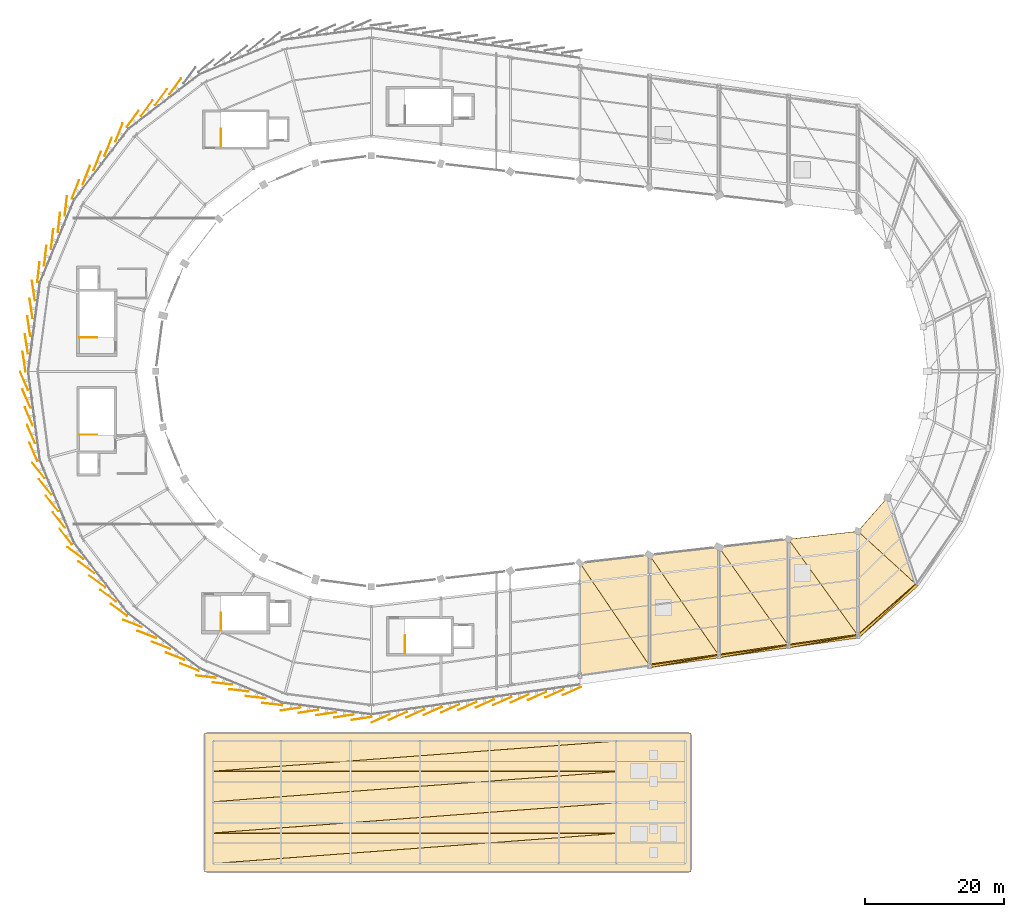
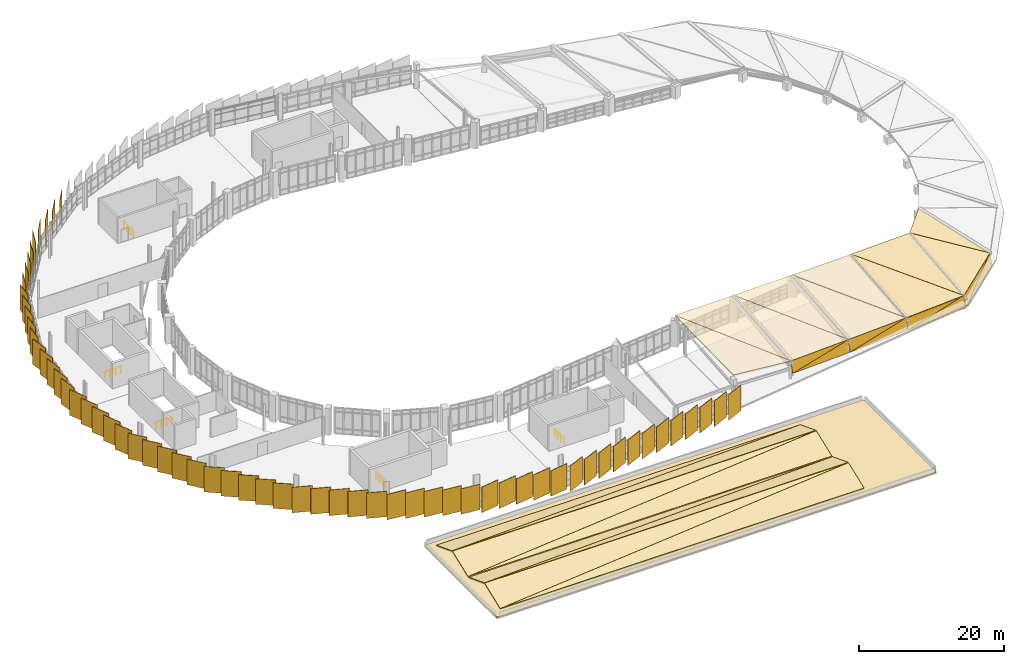
# One storey, part 65 of 67: 88 coverings, 5 railings.
"""IFC4 building model written with IfcOpenShell, lengths in metres."""

from ifc_helpers import new_model, si_unit, direction, frame, origin, origin_2d, place, context, subcontext, project, spatial, polyline, rectangle, circle, outline, extrude, material, layer, layer_set, type_object, element, save


model = new_model("IFC4")

# Units and contexts
model_context = context("Model", 3, precision=1e-05, world=origin(), true_north=direction((0.0, 1.0)))
body_context = subcontext(model_context, "Body", "Model", "MODEL_VIEW")
ifc_project = project(units=[si_unit("LENGTHUNIT", "METRE"), si_unit("AREAUNIT", "SQUARE_METRE"), si_unit("VOLUMEUNIT", "CUBIC_METRE"), si_unit("PLANEANGLEUNIT", "RADIAN"), si_unit("MASSUNIT", "GRAM", prefix="KILO")], contexts=[model_context])

# Site, building, storey
site_placement = place(None, origin())
site = spatial("IfcSite", under=ifc_project, at=site_placement, CompositionType="ELEMENT")
building_placement = place(site_placement, origin())
building = spatial("IfcBuilding", under=site, at=building_placement, Name="Sohan Crest Arena", CompositionType="ELEMENT")
storey_placement = place(building_placement, frame((0.0, 0.0, 22.5)))
storey = spatial("IfcBuildingStorey", under=building, at=storey_placement, Name="L05", CompositionType="ELEMENT", Elevation=22.5)

# Railings
ifc_material_1 = material(Name="Powder-coated wrought steel balustrade", Category="steel")
railing_type = type_object("IfcRailingType", Name="ARC-GRD-01", PredefinedType="GUARDRAIL", material=ifc_material_1)
for number, where, name in (
    (1, (56.02001953125, 68.8701171875, 0.0), "Top stair landing well guard GRD-007"),
    (2, (56.02001953125, 82.8701171875, 0.0), "Top stair landing well guard GRD-014"),
):
    element("IfcRailing", number, at=place(storey_placement, frame(where)), inside=storey, type_object=railing_type, Name=name, PredefinedType="GUARDRAIL", context=body_context, shape_type="SweptSolid", body=[
        extrude(circle(Radius=0.02392578125, at=origin_2d()), frame((0.0, 0.0, 1.076171875), z_axis=(1.0, 0.0, 0.0), x_axis=(0.0, 1.0, 0.0)), (0.0, 0.0, 1.0), 2.56005859375),
        extrude(circle(Radius=0.02099609375, at=origin_2d()), origin(), (0.0, 0.0, 1.0), 1.052001953125),
        extrude(circle(Radius=0.02099609375, at=origin_2d()), frame((0.853271484375, 0.0, 0.0)), (0.0, 0.0, 1.0), 1.052001953125),
        extrude(circle(Radius=0.02099609375, at=origin_2d()), frame((1.706787109375, 0.0, 0.0)), (0.0, 0.0, 1.0), 1.052001953125),
        extrude(circle(Radius=0.02099609375, at=origin_2d()), frame((2.56005859375, 0.0, 0.0)), (0.0, 0.0, 1.0), 1.052001953125),
    ])
railing_1_placement = place(storey_placement, frame((76.3701171875, 40.719970703125, 0.0)))
element("IfcRailing", 3, at=railing_1_placement, inside=storey, type_object=railing_type, Name="Top stair landing well guard GRD-021", PredefinedType="GUARDRAIL", context=body_context, shape_type="SweptSolid", body=[
    extrude(circle(Radius=0.02392578125, at=origin_2d()), frame((0.0, 0.0, 1.076171875), z_axis=(0.0, 1.0, 0.0), x_axis=(-1.0, 0.0, 0.0)), (0.0, 0.0, 1.0), 2.56005859375),
    extrude(circle(Radius=0.02099609375, at=origin_2d()), origin(), (0.0, 0.0, 1.0), 1.052001953125),
    extrude(circle(Radius=0.02099609375, at=origin_2d()), frame((0.0, 0.853271484375, 0.0)), (0.0, 0.0, 1.0), 1.052001953125),
    extrude(circle(Radius=0.02099609375, at=origin_2d()), frame((0.0, 1.706787109375, 0.0)), (0.0, 0.0, 1.0), 1.052001953125),
    extrude(circle(Radius=0.02099609375, at=origin_2d()), frame((0.0, 2.56005859375, 0.0)), (0.0, 0.0, 1.0), 1.052001953125),
])
railing_2_placement = place(storey_placement, frame((76.3701171875, 110.320068359375, 0.0)))
element("IfcRailing", 4, at=railing_2_placement, inside=storey, type_object=railing_type, Name="Top stair landing well guard GRD-028", PredefinedType="GUARDRAIL", context=body_context, shape_type="SweptSolid", body=[
    extrude(circle(Radius=0.02392578125, at=origin_2d()), frame((0.0, 0.0, 1.076171875), z_axis=(0.0, 1.0, 0.0), x_axis=(-1.0, 0.0, 0.0)), (0.0, 0.0, 1.0), 2.559814453125),
    extrude(circle(Radius=0.02099609375, at=origin_2d()), origin(), (0.0, 0.0, 1.0), 1.052001953125),
    extrude(circle(Radius=0.02099609375, at=origin_2d()), frame((0.0, 0.853271484375, 0.0)), (0.0, 0.0, 1.0), 1.052001953125),
    extrude(circle(Radius=0.02099609375, at=origin_2d()), frame((0.0, 1.70654296875, 0.0)), (0.0, 0.0, 1.0), 1.052001953125),
    extrude(circle(Radius=0.02099609375, at=origin_2d()), frame((0.0, 2.559814453125, 0.0)), (0.0, 0.0, 1.0), 1.052001953125),
])
railing_3_placement = place(storey_placement, frame((102.8701171875, 37.419921875, 0.0)))
element("IfcRailing", 5, at=railing_3_placement, inside=storey, type_object=railing_type, Name="Top stair landing well guard GRD-034", PredefinedType="GUARDRAIL", context=body_context, shape_type="SweptSolid", body=[
    extrude(circle(Radius=0.02392578125, at=origin_2d()), frame((0.0, 0.0, 1.076171875), z_axis=(0.0, 1.0, 0.0), x_axis=(-1.0, 0.0, 0.0)), (0.0, 0.0, 1.0), 2.56005859375),
    extrude(circle(Radius=0.02099609375, at=origin_2d()), origin(), (0.0, 0.0, 1.0), 1.052001953125),
    extrude(circle(Radius=0.02099609375, at=origin_2d()), frame((0.0, 0.853271484375, 0.0)), (0.0, 0.0, 1.0), 1.052001953125),
    extrude(circle(Radius=0.02099609375, at=origin_2d()), frame((0.0, 1.706787109375, 0.0)), (0.0, 0.0, 1.0), 1.052001953125),
    extrude(circle(Radius=0.02099609375, at=origin_2d()), frame((0.0, 2.56005859375, 0.0)), (0.0, 0.0, 1.0), 1.052001953125),
])

# Coverings
ifc_material_2 = material(Name="Elastomeric EPDM waterproofing membrane")
ifc_layer_1 = layer(ifc_material_2, 0.094970703125, Name="Elastomeric EPDM waterproofing membrane")
ifc_layer_set_1 = layer_set([ifc_layer_1], Name="Elastomeric EPDM waterproofing membrane")
covering_type_1 = type_object("IfcCoveringType", Name="COV-RF1", PredefinedType="ROOFING", material=ifc_layer_set_1)
covering_1_placement = place(storey_placement, origin())
element("IfcCovering", 6, at=covering_1_placement, inside=storey, type_object=covering_type_1, Name="BOH wing EPDM roof membrane", PredefinedType="ROOFING", context=body_context, shape_type="SweptSolid", body=[
    extrude(outline(polyline([(74.0, 6.0), (144.0, 6.0), (144.0, 26.0), (74.0, 26.0), (74.0, 6.0)])), origin(), (0.0, 0.0, 1.0), 0.094970703125),
])
ifc_material_3 = material(Name="Standing-seam insulated acoustic roof liner", Category="aluminium")
ifc_layer_2 = layer(ifc_material_3, 0.114990234375, Name="Standing-seam insulated acoustic roof liner")
ifc_layer_set_2 = layer_set([ifc_layer_2], Name="Standing-seam insulated acoustic roof liner")
covering_type_2 = type_object("IfcCoveringType", Name="COV-RF2", PredefinedType="ROOFING", material=ifc_layer_set_2)
covering_2_placement = place(storey_placement, frame((128.007080078125, 50.407958984375, 5.087890625), z_axis=(0.198695826107, -0.016231624519, 0.979926784537), x_axis=(0.0, -0.999862843193, -0.01656184778)))
element("IfcCovering", 7, at=covering_2_placement, inside=storey, type_object=covering_type_2, Name="Standing-seam acoustic roof covering RF-CV-079", PredefinedType="ROOFING", context=body_context, shape_type="SweptSolid", body=[
    extrude(outline(polyline([(0.0, 0.0), (16.112073161758026, 6.938893903907228e-18), (14.720587591479443, 10.18301755187822), (0.0, 0.0)])), origin(), (0.0, 0.0, -1.0), 0.114990234375),
])
covering_3_placement = place(storey_placement, frame((128.012939453125, 50.419921875, 5.087890625), z_axis=(0.09154879427, -0.090852066684, 0.99164747781), x_axis=(0.557533649554, -0.820438356947, -0.126637798721)))
element("IfcCovering", 8, at=covering_3_placement, inside=storey, type_object=covering_type_2, Name="Standing-seam acoustic roof covering RF-CV-080", PredefinedType="ROOFING", context=body_context, shape_type="SweptSolid", body=[
    extrude(outline(polyline([(0.0, 0.0), (17.90022983676519, 5.273559366969494e-16), (4.732212762219797, 8.897943635601639), (0.0, 0.0)])), origin(), (0.0, 0.0, -1.0), 0.114990234375),
])
covering_4_placement = place(storey_placement, frame((138.007080078125, 51.551025390625, 4.27099609375), z_axis=(0.089222443005, -0.090878280717, 0.991857093415), x_axis=(0.0, -0.99582873259, -0.091242179652)))
element("IfcCovering", 9, at=covering_4_placement, inside=storey, type_object=covering_type_2, Name="Standing-seam acoustic roof covering RF-CV-081", PredefinedType="ROOFING", context=body_context, shape_type="SweptSolid", body=[
    extrude(outline(polyline([(0.0, 0.0), (15.891237774102104, 0.0), (14.541151666046995, 10.019942759345469), (0.0, 0.0)])), origin(), (0.0, 0.0, -1.0), 0.114990234375),
])
covering_5_placement = place(storey_placement, frame((138.012939453125, 51.56201171875, 4.27099609375), z_axis=(0.086821537478, -0.092551348497, 0.991915454321), x_axis=(0.565146126251, -0.815382069427, -0.125546552485)))
element("IfcCovering", 10, at=covering_5_placement, inside=storey, type_object=covering_type_2, Name="Standing-seam acoustic roof covering RF-CV-082", PredefinedType="ROOFING", context=body_context, shape_type="SweptSolid", body=[
    extrude(outline(polyline([(0.0, 0.0), (17.659115059241813, -2.671474153004283e-15), (4.806208546475192, 8.853834129281795), (0.0, 0.0)])), origin(), (0.0, 0.0, -1.0), 0.114990234375),
])
covering_6_placement = place(storey_placement, frame((148.007080078125, 52.694091796875, 3.50390625), z_axis=(0.083294264686, -0.092577880742, 0.992215400741), x_axis=(0.0, -0.995675377752, -0.092900711187)))
element("IfcCovering", 11, at=covering_6_placement, inside=storey, type_object=covering_type_2, Name="Standing-seam acoustic roof covering RF-CV-083", PredefinedType="ROOFING", context=body_context, shape_type="SweptSolid", body=[
    extrude(outline(polyline([(0.0, 0.0), (15.607535758884154, 1.3877787807814457e-17), (14.25412930704331, 10.014781886831956), (0.0, 0.0)])), origin(), (0.0, 0.0, -1.0), 0.114990234375),
])
covering_7_placement = place(storey_placement, frame((148.012939453125, 52.705078125, 3.50390625), z_axis=(0.080859046311, -0.094312042621, 0.992253522668), x_axis=(0.572911051843, -0.810229483294, -0.123697659953)))
element("IfcCovering", 12, at=covering_7_placement, inside=storey, type_object=covering_type_2, Name="Standing-seam acoustic roof covering RF-CV-084", PredefinedType="ROOFING", context=body_context, shape_type="SweptSolid", body=[
    extrude(outline(polyline([(0.0, 0.0), (17.419772993816576, 6.765421556309548e-16), (4.880461607930236, 8.807921320703931), (0.0, 0.0)])), origin(), (0.0, 0.0, -1.0), 0.114990234375),
])
covering_8_placement = place(storey_placement, frame((158.007080078125, 53.837890625, 2.799072265625), z_axis=(0.075067074984, -0.094348914887, 0.992704999742), x_axis=(0.0, -0.995513855367, -0.09461587484)))
element("IfcCovering", 13, at=covering_8_placement, inside=storey, type_object=covering_type_2, Name="Standing-seam acoustic roof covering RF-CV-085", PredefinedType="ROOFING", context=body_context, shape_type="SweptSolid", body=[
    extrude(outline(polyline([(0.0, 0.0), (15.324607781949823, 1.3877787807814457e-17), (13.963560279360724, 10.008218791601232), (0.0, 0.0)])), origin(), (0.0, 0.0, -1.0), 0.114990234375),
])
covering_9_placement = place(storey_placement, frame((158.012939453125, 53.84912109375, 2.799072265625), z_axis=(0.072568761965, -0.096151978066, 0.992717770517), x_axis=(0.580907080779, -0.805010624589, -0.120436115015)))
element("IfcCovering", 14, at=covering_9_placement, inside=storey, type_object=covering_type_2, Name="Standing-seam acoustic roof covering RF-CV-086", PredefinedType="ROOFING", context=body_context, shape_type="SweptSolid", body=[
    extrude(outline(polyline([(0.0, 0.0), (17.17999452747673, 3.122502256758253e-16), (4.954382575572092, 8.75995397560335), (0.0, 0.0)])), origin(), (0.0, 0.0, -1.0), 0.114990234375),
])
covering_10_placement = place(storey_placement, frame((168.006103515625, 54.985107421875, 2.179931640625), z_axis=(0.11053720959, -0.095813835088, 0.989242758023), x_axis=(0.0, -0.995342228765, -0.096404603814)))
element("IfcCovering", 15, at=covering_10_placement, inside=storey, type_object=covering_type_2, Name="Standing-seam acoustic roof covering RF-CV-087", PredefinedType="ROOFING", context=body_context, shape_type="SweptSolid", body=[
    extrude(outline(polyline([(0.0, 0.0), (15.040268975947688, -2.7755575615628914e-17), (7.755952304528496, 8.41754965587609), (0.0, 0.0)])), origin(), (0.0, 0.0, -1.0), 0.114990234375),
])
covering_11_placement = place(storey_placement, frame((168.008056640625, 54.998046875, 2.179931640625), z_axis=(0.13315902646, -0.07084346806, 0.988559495784), x_axis=(0.730949923521, -0.666580431263, -0.146228376051)))
element("IfcCovering", 16, at=covering_11_placement, inside=storey, type_object=covering_type_2, Name="Standing-seam acoustic roof covering RF-CV-088", PredefinedType="ROOFING", context=body_context, shape_type="SweptSolid", body=[
    extrude(outline(polyline([(0.0, 0.0), (11.446671092148803, 8.81239525796218e-16), (-0.0953311494667434, 6.431282249821388), (0.0, 0.0)])), origin(), (0.0, 0.0, -1.0), 0.114990234375),
])
covering_12_placement = place(storey_placement, frame((75.277099609375, 7.202880859375, 0.410888671875), z_axis=(0.0, -0.358996767836, 0.933338802731), x_axis=(1.0, 0.0, 0.0)))
element("IfcCovering", 17, at=covering_12_placement, inside=storey, type_object=covering_type_2, Name="Standing-seam acoustic roof covering RF-CV-145", PredefinedType="ROOFING", context=body_context, shape_type="SweptSolid", body=[
    extrude(outline(polyline([(0.0, 0.0), (57.8837890625, 0.0), (57.8837890625, 4.624432303409632), (0.0, 0.0)])), origin(), (0.0, 0.0, -1.0), 0.114990234375),
])
covering_13_placement = place(storey_placement, frame((75.239013671875, 7.2060546875, 0.410888671875), z_axis=(0.0, -0.359014457977, 0.933331998253), x_axis=(0.996824195237, 0.074324666369, 0.028589644265)))
element("IfcCovering", 18, at=covering_13_placement, inside=storey, type_object=covering_type_2, Name="Standing-seam acoustic roof covering RF-CV-146", PredefinedType="ROOFING", context=body_context, shape_type="SweptSolid", body=[
    extrude(outline(polyline([(0.0, 0.0), (58.06844725449331, 9.992007221626409e-16), (0.3682424397139113, 4.609518867841495), (0.0, 0.0)])), origin(), (0.0, 0.0, -1.0), 0.114990234375),
])
covering_14_placement = place(storey_placement, frame((75.277099609375, 11.597900390625, 2.071044921875), z_axis=(0.0, 0.358996767836, 0.933338802731), x_axis=(1.0, 0.0, 0.0)))
element("IfcCovering", 19, at=covering_14_placement, inside=storey, type_object=covering_type_2, Name="Standing-seam acoustic roof covering RF-CV-147", PredefinedType="ROOFING", context=body_context, shape_type="SweptSolid", body=[
    extrude(outline(polyline([(0.0, 0.0), (57.8837890625, 0.0), (57.8837890625, 4.624432303409632), (0.0, 0.0)])), origin(), (0.0, 0.0, -1.0), 0.114990234375),
])
covering_15_placement = place(storey_placement, frame((75.239013671875, 11.60107421875, 2.071044921875), z_axis=(0.0, 0.359014457977, 0.933331998253), x_axis=(0.996824195237, 0.074324666369, -0.028589644265)))
element("IfcCovering", 20, at=covering_15_placement, inside=storey, type_object=covering_type_2, Name="Standing-seam acoustic roof covering RF-CV-148", PredefinedType="ROOFING", context=body_context, shape_type="SweptSolid", body=[
    extrude(outline(polyline([(0.0, 0.0), (58.06844725449331, 9.992007221626409e-16), (0.3682424397139113, 4.609518867841495), (0.0, 0.0)])), origin(), (0.0, 0.0, -1.0), 0.114990234375),
])
covering_16_placement = place(storey_placement, frame((75.277099609375, 16.0830078125, 0.410888671875), z_axis=(0.0, -0.359014457977, 0.933331998253), x_axis=(1.0, 0.0, 0.0)))
element("IfcCovering", 21, at=covering_16_placement, inside=storey, type_object=covering_type_2, Name="Standing-seam acoustic roof covering RF-CV-149", PredefinedType="ROOFING", context=body_context, shape_type="SweptSolid", body=[
    extrude(outline(polyline([(0.0, 0.0), (57.8837890625, 0.0), (57.8837890625, 4.6242044383216), (0.0, 0.0)])), origin(), (0.0, 0.0, -1.0), 0.114990234375),
])
covering_17_placement = place(storey_placement, frame((75.239013671875, 16.0859375, 0.410888671875), z_axis=(0.0, -0.358996767836, 0.933338802731), x_axis=(0.996823883733, 0.074328847501, 0.02858963533)))
element("IfcCovering", 22, at=covering_17_placement, inside=storey, type_object=covering_type_2, Name="Standing-seam acoustic roof covering RF-CV-150", PredefinedType="ROOFING", context=body_context, shape_type="SweptSolid", body=[
    extrude(outline(polyline([(0.0, 0.0), (58.06846540067419, 7.771561172376096e-16), (0.3682786169956236, 4.609744568745898), (0.0, 0.0)])), origin(), (0.0, 0.0, -1.0), 0.114990234375),
])
covering_18_placement = place(storey_placement, frame((75.277099609375, 20.47802734375, 2.071044921875), z_axis=(0.0, 0.359014457977, 0.933331998253), x_axis=(1.0, 0.0, 0.0)))
element("IfcCovering", 23, at=covering_18_placement, inside=storey, type_object=covering_type_2, Name="Standing-seam acoustic roof covering RF-CV-151", PredefinedType="ROOFING", context=body_context, shape_type="SweptSolid", body=[
    extrude(outline(polyline([(0.0, 0.0), (57.8837890625, 0.0), (57.8837890625, 4.6242044383216), (0.0, 0.0)])), origin(), (0.0, 0.0, -1.0), 0.114990234375),
])
covering_19_placement = place(storey_placement, frame((75.239013671875, 20.48095703125, 2.071044921875), z_axis=(0.0, 0.358996767836, 0.933338802731), x_axis=(0.996823883733, 0.074328847501, -0.02858963533)))
element("IfcCovering", 24, at=covering_19_placement, inside=storey, type_object=covering_type_2, Name="Standing-seam acoustic roof covering RF-CV-152", PredefinedType="ROOFING", context=body_context, shape_type="SweptSolid", body=[
    extrude(outline(polyline([(0.0, 0.0), (58.06846540067419, 7.771561172376096e-16), (0.3682786169956236, 4.609744568745898), (0.0, 0.0)])), origin(), (0.0, 0.0, -1.0), 0.114990234375),
])
ifc_material_4 = material(Name="Glazed ivory trencadis ceramic cladding", Category="masonry")
ifc_layer_3 = layer(ifc_material_4, 0.06494140625, Name="Glazed ivory trencadis ceramic cladding")
ifc_layer_set_3 = layer_set([ifc_layer_3], Name="Glazed ivory trencadis ceramic cladding")
covering_type_3 = type_object("IfcCoveringType", Name="COV-SC-IV", PredefinedType="CLADDING", material=ifc_layer_set_3)
for number, where, z_axis, x_axis, name in (
    (25, (69.7958984375, 118.988037109375, -0.2001953125), (0.0, 0.0, 1.0), (-0.594822786751, -0.803856860617, 0.0), "Rotated trencadis ceramic scale panel SC-0566"),
    (26, (67.751953125, 117.419921875, -0.2001953125), (0.0, 0.0, 1.0), (-0.594822786751, -0.803856860617, 0.0), "Rotated trencadis ceramic scale panel SC-0567"),
    (27, (63.6630859375, 114.282958984375, -0.2001953125), (0.0, 0.0, 1.0), (-0.594822786751, -0.803856860617, 0.0), "Rotated trencadis ceramic scale panel SC-0569"),
    (28, (61.717041015625, 112.3369140625, -0.2001953125), (0.0, 0.0, 1.0), (-0.366501226724, -0.930417567982, 0.0), "Rotated trencadis ceramic scale panel SC-0570"),
    (29, (60.14794921875, 110.2919921875, -0.2001953125), (0.0, 0.0, 1.0), (-0.366501226724, -0.930417567982, 0.0), "Rotated trencadis ceramic scale panel SC-0571"),
    (30, (57.011962890625, 106.2041015625, -0.2001953125), (0.0, 0.0, 1.0), (-0.366501226724, -0.930417567982, 0.0), "Rotated trencadis ceramic scale panel SC-0573"),
    (31, (55.443115234375, 104.159912109375, -0.2001953125), (0.0, 0.0, 1.0), (-0.366501226724, -0.930417567982, 0.0), "Rotated trencadis ceramic scale panel SC-0574"),
    (32, (54.06689453125, 101.77587890625, -0.2001953125), (0.0, 0.0, 1.0), (-0.113203213768, -0.993571855677, 0.0), "Rotated trencadis ceramic scale panel SC-0575"),
    (33, (52.094970703125, 97.014892578125, -0.2001953125), (0.0, 0.0, 1.0), (-0.113203213768, -0.993571855677, 0.0), "Rotated trencadis ceramic scale panel SC-0577"),
    (34, (51.10888671875, 94.634033203125, -0.2001953125), (0.0, 0.0, 1.0), (-0.113203213768, -0.993571855677, 0.0), "Rotated trencadis ceramic scale panel SC-0578"),
    (35, (50.123046875, 92.25390625, -0.2001953125), (0.0, 0.0, 1.0), (-0.113203213768, -0.993571855677, 0.0), "Rotated trencadis ceramic scale panel SC-0579"),
    (36, (49.073974609375, 87.0400390625, -0.2001953125), (0.0, 0.0, 1.0), (0.14780941113, -0.989015863362, 0.0), "Rotated trencadis ceramic scale panel SC-0581"),
    (37, (48.738037109375, 84.486083984375, -0.2001953125), (0.0, 0.0, 1.0), (0.14780941113, -0.989015863362, 0.0), "Rotated trencadis ceramic scale panel SC-0582"),
    (38, (48.40087890625, 81.930908203125, -0.2001953125), (0.0, 0.0, 1.0), (0.14780941113, -0.989015863362, 0.0), "Rotated trencadis ceramic scale panel SC-0583"),
    (39, (48.06494140625, 79.376953125, -0.2001953125), (0.0, 0.0, 1.0), (0.14780941113, -0.989015863362, 0.0), "Rotated trencadis ceramic scale panel SC-0584"),
    (40, (48.06494140625, 76.623046875, -0.2001953125), (0.0, 0.0, 1.0), (0.398749068925, -0.917060074385, 0.0), "Rotated trencadis ceramic scale panel SC-0585"),
    (41, (48.40087890625, 74.069091796875, -0.2001953125), (0.0, 0.0, 1.0), (0.398749068925, -0.917060074385, 0.0), "Rotated trencadis ceramic scale panel SC-0586"),
    (42, (48.738037109375, 71.513916015625, -0.2001953125), (0.0, 0.0, 1.0), (0.398749068925, -0.917060074385, 0.0), "Rotated trencadis ceramic scale panel SC-0587"),
    (43, (49.073974609375, 68.9599609375, -0.2001953125), (0.0, 0.0, 1.0), (0.398749068925, -0.917060074385, 0.0), "Rotated trencadis ceramic scale panel SC-0588"),
    (44, (50.123046875, 63.74609375, -0.2001953125), (0.0, 0.0, 1.0), (0.622514636638, -0.782608156852, 0.0), "Rotated trencadis ceramic scale panel SC-0590"),
    (45, (51.10888671875, 61.365966796875, -0.2001953125), (0.0, 0.0, 1.0), (0.622514636638, -0.782608156852, 0.0), "Rotated trencadis ceramic scale panel SC-0591"),
    (46, (52.094970703125, 58.985107421875, -0.2001953125), (0.0, 0.0, 1.0), (0.622514636638, -0.782608156852, 0.0), "Rotated trencadis ceramic scale panel SC-0592"),
    (47, (54.06689453125, 54.22412109375, -0.2001953125), (0.0, 0.0, 1.0), (0.622514636638, -0.782608156852, 0.0), "Rotated trencadis ceramic scale panel SC-0594"),
    (48, (55.443115234375, 51.840087890625, -0.2001953125), (0.0, 0.0, 1.0), (0.803856860617, -0.594822786751, 0.0), "Rotated trencadis ceramic scale panel SC-0595"),
    (49, (57.011962890625, 49.7958984375, -0.2001953125), (0.0, 0.0, 1.0), (0.803856860617, -0.594822786751, 0.0), "Rotated trencadis ceramic scale panel SC-0596"),
    (50, (60.14794921875, 45.7080078125, -0.2001953125), (0.0, 0.0, 1.0), (0.803856860617, -0.594822786751, 0.0), "Rotated trencadis ceramic scale panel SC-0598"),
    (51, (61.717041015625, 43.6630859375, -0.2001953125), (0.0, 0.0, 1.0), (0.803856860617, -0.594822786751, 0.0), "Rotated trencadis ceramic scale panel SC-0599"),
    (52, (63.6630859375, 41.717041015625, -0.2001953125), (0.0, 0.0, 1.0), (0.930417567982, -0.366501226724, 0.0), "Rotated trencadis ceramic scale panel SC-0600"),
    (53, (67.751953125, 38.580078125, -0.2001953125), (0.0, 0.0, 1.0), (0.930417567982, -0.366501226724, 0.0), "Rotated trencadis ceramic scale panel SC-0602"),
    (54, (69.7958984375, 37.011962890625, -0.2001953125), (0.0, 0.0, 1.0), (0.930417567982, -0.366501226724, 0.0), "Rotated trencadis ceramic scale panel SC-0603"),
    (55, (71.840087890625, 35.443115234375, -0.2001953125), (0.0, 0.0, 1.0), (0.930417567982, -0.366501226724, 0.0), "Rotated trencadis ceramic scale panel SC-0604"),
    (56, (76.60498046875, 33.0810546875, -0.2001953125), (0.0, 0.0, 1.0), (0.993571855677, -0.113203213768, 0.0), "Rotated trencadis ceramic scale panel SC-0606"),
    (57, (78.985107421875, 32.094970703125, -0.2001953125), (0.0, 0.0, 1.0), (0.993571855677, -0.113203213768, 0.0), "Rotated trencadis ceramic scale panel SC-0607"),
    (58, (81.365966796875, 31.10888671875, -0.2001953125), (0.0, 0.0, 1.0), (0.993571855677, -0.113203213768, 0.0), "Rotated trencadis ceramic scale panel SC-0608"),
    (59, (83.74609375, 30.123046875, -0.2001953125), (0.0, 0.0, 1.0), (0.993571855677, -0.113203213768, 0.0), "Rotated trencadis ceramic scale panel SC-0609"),
    (60, (86.405029296875, 29.409912109375, -0.2001953125), (0.0, 0.0, 1.0), (0.989015863362, 0.14780941113, 0.0), "Rotated trencadis ceramic scale panel SC-0610"),
    (61, (88.9599609375, 29.073974609375, -0.2001953125), (0.0, 0.0, 1.0), (0.989015863362, 0.14780941113, 0.0), "Rotated trencadis ceramic scale panel SC-0611"),
    (62, (91.513916015625, 28.738037109375, -0.2001953125), (0.0, 0.0, 1.0), (0.989015863362, 0.14780941113, 0.0), "Rotated trencadis ceramic scale panel SC-0612"),
    (63, (94.069091796875, 28.40087890625, -0.2001953125), (0.0, 0.0, 1.0), (0.989015863362, 0.14780941113, 0.0), "Rotated trencadis ceramic scale panel SC-0613"),
    (64, (99.35791015625, 28.075927734375, -0.2001953125), (0.0, 0.0, 1.0), (0.912834177233, 0.408330460381, 0.0), "Rotated trencadis ceramic scale panel SC-0615"),
    (65, (101.85791015625, 28.43408203125, -0.2001953125), (0.0, 0.0, 1.0), (0.912834177233, 0.408330460381, 0.0), "Rotated trencadis ceramic scale panel SC-0616"),
    (66, (104.35791015625, 28.791015625, -0.2001953125), (0.0, 0.0, 1.0), (0.912834177233, 0.408330460381, 0.0), "Rotated trencadis ceramic scale panel SC-0617"),
    (67, (109.35693359375, 29.5048828125, -0.2001953125), (0.0, 0.0, 1.0), (0.912834177233, 0.408330460381, 0.0), "Rotated trencadis ceramic scale panel SC-0619"),
    (68, (111.85693359375, 29.862060546875, -0.2001953125), (0.0, 0.0, 1.0), (0.912834177233, 0.408330460381, 0.0), "Rotated trencadis ceramic scale panel SC-0620"),
    (69, (116.85693359375, 30.575927734375, -0.2001953125), (0.0, 0.0, 1.0), (0.912834177233, 0.408330460381, 0.0), "Rotated trencadis ceramic scale panel SC-0622"),
    (70, (119.35791015625, 30.93310546875, -0.2001953125), (0.0, 0.0, 1.0), (0.912834177233, 0.408330460381, 0.0), "Rotated trencadis ceramic scale panel SC-0623"),
    (71, (124.35791015625, 31.64794921875, -0.2001953125), (0.0, 0.0, 1.0), (0.912834177233, 0.408330460381, 0.0), "Rotated trencadis ceramic scale panel SC-0625"),
    (72, (126.85791015625, 32.0048828125, -0.2001953125), (0.0, 0.0, 1.0), (0.912834177233, 0.408330460381, 0.0), "Rotated trencadis ceramic scale panel SC-0626"),
):
    element("IfcCovering", number, at=place(storey_placement, frame(where, z_axis=z_axis, x_axis=x_axis)), inside=storey, type_object=covering_type_3, Name=name, PredefinedType="CLADDING", context=body_context, shape_type="SweptSolid", body=[
        extrude(rectangle(XDim=2.85009765625, YDim=0.06494140625, at=origin_2d()), origin(), (0.0, 0.0, 1.0), 4.300048828125),
    ])
covering_20_placement = place(storey_placement, frame((138.050048828125, 35.367919921875, 0.889892578125), z_axis=(0.153886094794, -0.966492886214, 0.205452112977), x_axis=(0.987100639596, 0.141076346294, -0.075695388403)))
element("IfcCovering", 73, at=covering_20_placement, inside=storey, type_object=covering_type_3, Name="Rising white parabolic roof-edge nose fascia NF-0725", PredefinedType="CLADDING", context=body_context, shape_type="SweptSolid", body=[
    extrude(outline(polyline([(0.0, 0.0), (10.13067928321082, 0.0), (9.986166927190917, 1.9359381229049553), (0.0, 0.0)])), origin(), (0.0, 0.0, -1.0), 0.0849609375),
])
covering_21_placement = place(storey_placement, frame((138.050048828125, 35.367919921875, 0.889892578125), z_axis=(0.153872171437, -0.966475183516, 0.205545796614), x_axis=(0.97746603407, 0.17931171096, 0.111388790063)))
element("IfcCovering", 74, at=covering_21_placement, inside=storey, type_object=covering_type_3, Name="Rising white parabolic roof-edge nose fascia NF-0726", PredefinedType="CLADDING", context=body_context, shape_type="SweptSolid", body=[
    extrude(outline(polyline([(0.0, 0.0), (10.172088591505602, 0.0), (0.2266450804255766, 1.9283393922232277), (0.0, 0.0)])), origin(), (0.0, 0.0, -1.0), 0.0849609375),
])
covering_22_placement = place(storey_placement, frame((148.049072265625, 36.797119140625, 0.123046875), z_axis=(0.152530661495, -0.966702982559, 0.205474428617), x_axis=(0.987554945883, 0.141020724572, -0.069630338958)))
element("IfcCovering", 75, at=covering_22_placement, inside=storey, type_object=covering_type_3, Name="Rising white parabolic roof-edge nose fascia NF-0727", PredefinedType="CLADDING", context=body_context, shape_type="SweptSolid", body=[
    extrude(outline(polyline([(0.0, 0.0), (10.126018852611331, 1.1102230246251565e-16), (9.99396342455864, 1.937088418679457), (0.0, 0.0)])), origin(), (0.0, 0.0, -1.0), 0.0849609375),
])
covering_23_placement = place(storey_placement, frame((148.049072265625, 36.797119140625, 0.123046875), z_axis=(0.152545157878, -0.966720612377, 0.205380701173), x_axis=(0.976806016441, 0.179077105936, 0.117394192253)))
element("IfcCovering", 76, at=covering_23_placement, inside=storey, type_object=covering_type_3, Name="Rising white parabolic roof-edge nose fascia NF-0728", PredefinedType="CLADDING", context=body_context, shape_type="SweptSolid", body=[
    extrude(outline(polyline([(0.0, 0.0), (10.17996151629258, 0.0), (0.2388827882402425, 1.9265421417713784), (0.0, 0.0)])), origin(), (0.0, 0.0, -1.0), 0.0849609375),
])
covering_24_placement = place(storey_placement, frame((158.050048828125, 38.22509765625, -0.58203125), z_axis=(0.150894236521, -0.966937580472, 0.205578804491), x_axis=(0.988091422574, 0.141193825594, -0.061152630767)))
element("IfcCovering", 77, at=covering_24_placement, inside=storey, type_object=covering_type_3, Name="Rising white parabolic roof-edge nose fascia NF-0729", PredefinedType="CLADDING", context=body_context, shape_type="SweptSolid", body=[
    extrude(outline(polyline([(0.0, 0.0), (10.120521008014903, 0.0), (10.00366271804862, 1.9378537606979507), (0.0, 0.0)])), origin(), (0.0, 0.0, -1.0), 0.0849609375),
])
covering_25_placement = place(storey_placement, frame((158.050048828125, 38.22509765625, -0.58203125), z_axis=(0.150898365453, -0.966942315886, 0.205553499245), x_axis=(0.975783398516, 0.179003039098, 0.125716630458)))
element("IfcCovering", 78, at=covering_25_placement, inside=storey, type_object=covering_type_3, Name="Rising white parabolic roof-edge nose fascia NF-0730", PredefinedType="CLADDING", context=body_context, shape_type="SweptSolid", body=[
    extrude(outline(polyline([(0.0, 0.0), (10.189629285421875, 2.220446049250313e-16), (0.2538442716941912, 1.9249477628779983), (0.0, 0.0)])), origin(), (0.0, 0.0, -1.0), 0.0849609375),
])
covering_26_placement = place(storey_placement, frame((168.22900390625, 39.735107421875, -1.200927734375), z_axis=(0.648440982063, -0.732795209744, 0.206241298862), x_axis=(0.751544149041, 0.659376737456, -0.0200925395)))
element("IfcCovering", 79, at=covering_26_placement, inside=storey, type_object=covering_type_3, Name="Rising white parabolic roof-edge nose fascia NF-0731", PredefinedType="CLADDING", context=body_context, shape_type="SweptSolid", body=[
    extrude(outline(polyline([(0.0, 0.0), (11.154443356810082, 0.0), (11.119164895953354, 1.9415799312099384), (0.0, 0.0)])), origin(), (0.0, 0.0, -1.0), 0.0849609375),
])
covering_27_placement = place(storey_placement, frame((168.22900390625, 39.735107421875, -1.200927734375), z_axis=(0.648434453592, -0.732793842021, 0.206266682942), x_axis=(0.719482661338, 0.678451558387, 0.148486305618)))
element("IfcCovering", 80, at=covering_27_placement, inside=storey, type_object=covering_type_3, Name="Rising white parabolic roof-edge nose fascia NF-0732", PredefinedType="CLADDING", context=body_context, shape_type="SweptSolid", body=[
    extrude(outline(polyline([(0.0, 0.0), (11.287407169615106, -2.220446049250313e-16), (0.2991879684238016, 1.9184723121098504), (0.0, 0.0)])), origin(), (0.0, 0.0, -1.0), 0.0849609375),
])
ifc_material_5 = material(Name="Glazed terracotta trencadis ceramic cladding", Category="masonry")
ifc_layer_4 = layer(ifc_material_5, 0.074951171875, Name="Glazed terracotta trencadis ceramic cladding")
ifc_layer_set_4 = layer_set([ifc_layer_4], Name="Glazed terracotta trencadis ceramic cladding")
covering_type_4 = type_object("IfcCoveringType", Name="COV-SC-TC", PredefinedType="CLADDING", material=ifc_layer_set_4)
for number, where, z_axis, x_axis, name in (
    (81, (65.7080078125, 115.85205078125, -0.2001953125), (0.0, 0.0, 1.0), (-0.594822786751, -0.803856860617, 0.0), "Rotated trencadis ceramic scale panel SC-0568"),
    (82, (58.580078125, 108.248046875, -0.2001953125), (0.0, 0.0, 1.0), (-0.366501226724, -0.930417567982, 0.0), "Rotated trencadis ceramic scale panel SC-0572"),
    (83, (53.0810546875, 99.39501953125, -0.2001953125), (0.0, 0.0, 1.0), (-0.113203213768, -0.993571855677, 0.0), "Rotated trencadis ceramic scale panel SC-0576"),
    (84, (49.409912109375, 89.594970703125, -0.2001953125), (0.0, 0.0, 1.0), (0.14780941113, -0.989015863362, 0.0), "Rotated trencadis ceramic scale panel SC-0580"),
    (85, (49.409912109375, 66.405029296875, -0.2001953125), (0.0, 0.0, 1.0), (0.398749068925, -0.917060074385, 0.0), "Rotated trencadis ceramic scale panel SC-0589"),
    (86, (53.0810546875, 56.60498046875, -0.2001953125), (0.0, 0.0, 1.0), (0.622514636638, -0.782608156852, 0.0), "Rotated trencadis ceramic scale panel SC-0593"),
    (87, (58.580078125, 47.751953125, -0.2001953125), (0.0, 0.0, 1.0), (0.803856860617, -0.594822786751, 0.0), "Rotated trencadis ceramic scale panel SC-0597"),
    (88, (65.7080078125, 40.14794921875, -0.2001953125), (0.0, 0.0, 1.0), (0.930417567982, -0.366501226724, 0.0), "Rotated trencadis ceramic scale panel SC-0601"),
    (89, (74.22412109375, 34.06689453125, -0.2001953125), (0.0, 0.0, 1.0), (0.993571855677, -0.113203213768, 0.0), "Rotated trencadis ceramic scale panel SC-0605"),
    (90, (96.623046875, 28.06494140625, -0.2001953125), (0.0, 0.0, 1.0), (0.989015863362, 0.14780941113, 0.0), "Rotated trencadis ceramic scale panel SC-0614"),
    (91, (106.85791015625, 29.14794921875, -0.2001953125), (0.0, 0.0, 1.0), (0.912834177233, 0.408330460381, 0.0), "Rotated trencadis ceramic scale panel SC-0618"),
    (92, (114.35693359375, 30.218994140625, -0.2001953125), (0.0, 0.0, 1.0), (0.912834177233, 0.408330460381, 0.0), "Rotated trencadis ceramic scale panel SC-0621"),
    (93, (121.85791015625, 31.291015625, -0.2001953125), (0.0, 0.0, 1.0), (0.912834177233, 0.408330460381, 0.0), "Rotated trencadis ceramic scale panel SC-0624"),
):
    element("IfcCovering", number, at=place(storey_placement, frame(where, z_axis=z_axis, x_axis=x_axis)), inside=storey, type_object=covering_type_4, Name=name, PredefinedType="CLADDING", context=body_context, shape_type="SweptSolid", body=[
        extrude(rectangle(XDim=2.85009765625, YDim=0.074951171875, at=origin_2d()), origin(), (0.0, 0.0, 1.0), 4.300048828125),
    ])

save(model, "model.ifc")
